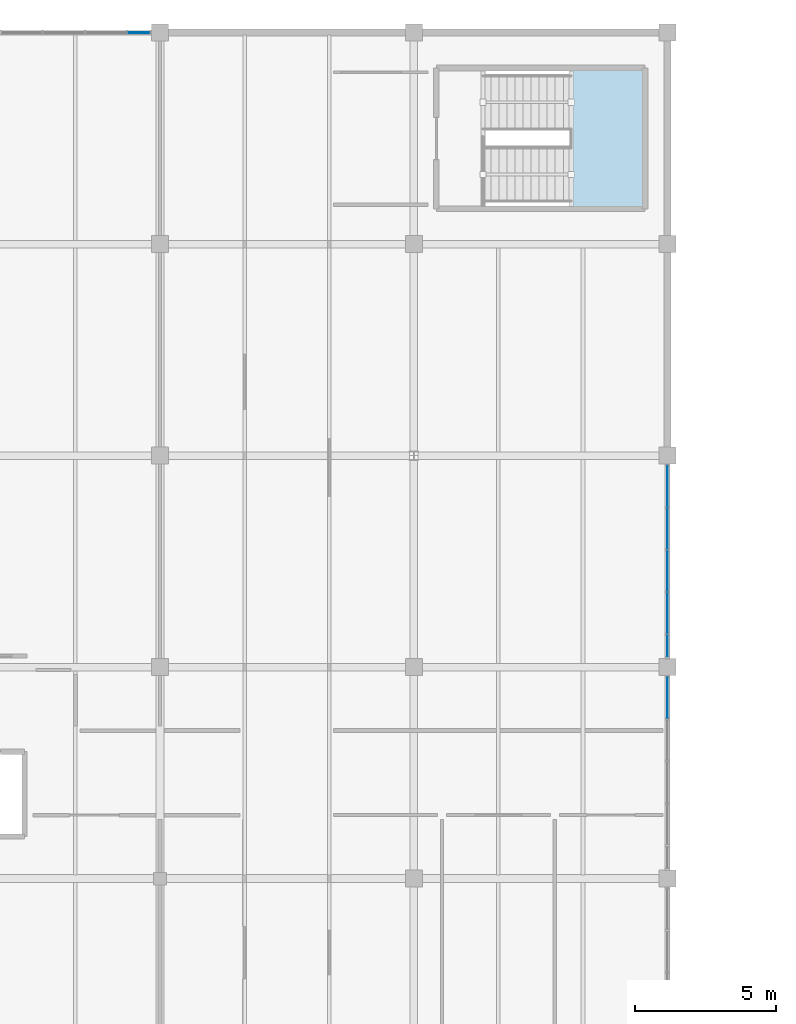
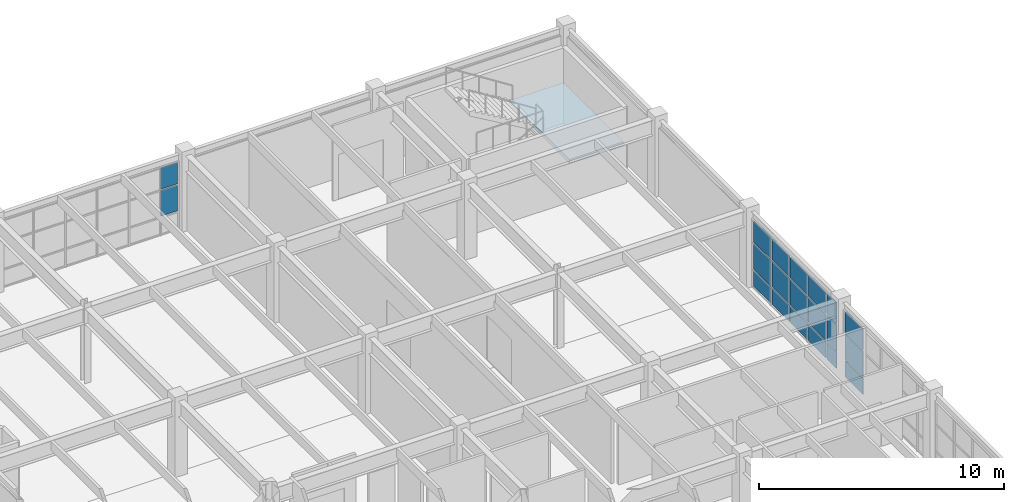
# One storey, part 55 of 76: 20 plates, 1 slab, 4 elements without a shape of their own.
"""IFC4 building model written with IfcOpenShell, lengths in metres."""

from ifc_helpers import new_model, si_unit, direction, frame, origin, origin_2d, place, context, subcontext, project, spatial, polyline, rectangle, outline, extrude, material, layer, layer_set, type_object, element, aggregate, save


model = new_model("IFC4")

# Units and contexts
model_context = context("Model", 3, precision=1e-05, world=origin(), true_north=direction((0.0, 1.0)))
body_context = subcontext(model_context, "Body", "Model", "MODEL_VIEW")
ifc_project = project(units=[si_unit("LENGTHUNIT", "METRE"), si_unit("AREAUNIT", "SQUARE_METRE"), si_unit("VOLUMEUNIT", "CUBIC_METRE"), si_unit("PLANEANGLEUNIT", "RADIAN"), si_unit("MASSUNIT", "GRAM", prefix="KILO")], contexts=[model_context])

# Site, building, storey
site_placement = place(None, origin())
site = spatial("IfcSite", under=ifc_project, at=site_placement, CompositionType="ELEMENT")
building_placement = place(site_placement, origin())
building = spatial("IfcBuilding", under=site, at=building_placement, Name="Marnridge Secondary College", CompositionType="ELEMENT")
storey_placement = place(building_placement, frame((0.0, 0.0, 4.5)))
storey = spatial("IfcBuildingStorey", under=building, at=storey_placement, Name="L01", CompositionType="ELEMENT", Elevation=4.5)

# Curtain wall, plates
ifc_material_1 = material(Name="Thermally broken aluminium and low-E glazing", Category="aluminium")
ifc_layer_1 = layer(ifc_material_1, 0.159912109375)
ifc_layer_set_1 = layer_set([ifc_layer_1], Name="CW-MOD-1500")
curtain_wall_type = type_object("IfcCurtainWallType", Name="CW-MOD-1500", PredefinedType="NOTDEFINED", material=ifc_layer_set_1)
curtain_wall_1_placement = place(storey_placement, origin())
curtain_wall_1 = element("IfcCurtainWall", 1, at=curtain_wall_1_placement, inside=storey, type_object=curtain_wall_type, Name="Unitised curtain wall CW-L01-047", PredefinedType="NOTDEFINED")
ifc_material_2 = material(Name="Double-glazed low-E argon unit", Category="glass")
ifc_layer_2 = layer(ifc_material_2, 0.028076171875)
ifc_layer_set_2 = layer_set([ifc_layer_2], Name="CWP-GLZ28")
plate_type = type_object("IfcPlateType", Name="CWP-GLZ28", PredefinedType="CURTAIN_PANEL", material=ifc_layer_set_2)
plate_1_placement = place(storey_placement, frame((17.25, 120.0, 0.929931640625), z_axis=(0.0, 0.0, 1.0), x_axis=(1.0, 0.0, 0.0)))
plate_1 = element("IfcPlate", 2, at=plate_1_placement, type_object=plate_type, Name="CW-L01-047 panel 6.2", PredefinedType="CURTAIN_PANEL", context=body_context, shape_type="SweptSolid", body=[
    extrude(rectangle(XDim=0.77197265625, YDim=0.028076171875, at=origin_2d()), origin(), (0.0, 0.0, 1.0), 1.2900390625),
])
plate_2_placement = place(storey_placement, frame((17.25, 120.0, 2.280029296875), z_axis=(0.0, 0.0, 1.0), x_axis=(1.0, 0.0, 0.0)))
plate_2 = element("IfcPlate", 3, at=plate_2_placement, type_object=plate_type, Name="CW-L01-047 panel 6.3", PredefinedType="CURTAIN_PANEL", context=body_context, shape_type="SweptSolid", body=[
    extrude(rectangle(XDim=0.77197265625, YDim=0.028076171875, at=origin_2d()), origin(), (0.0, 0.0, 1.0), 1.06005859375),
])
aggregate(curtain_wall_1, [plate_1, plate_2])

curtain_wall_2_placement = place(storey_placement, origin())
curtain_wall_2 = element("IfcCurtainWall", 4, at=curtain_wall_2_placement, inside=storey, type_object=curtain_wall_type, Name="Unitised curtain wall CW-L01-048", PredefinedType="NOTDEFINED")
plate_3_placement = place(storey_placement, frame((36.0, 103.916015625, 0.06005859375), z_axis=(0.0, 0.0, 1.0), x_axis=(0.0, -1.0, 0.0)))
plate_3 = element("IfcPlate", 5, at=plate_3_placement, type_object=plate_type, Name="CW-L01-048 panel 1.1", PredefinedType="CURTAIN_PANEL", context=body_context, shape_type="SweptSolid", body=[
    extrude(rectangle(XDim=1.43994140625, YDim=0.028076171875, at=origin_2d()), origin(), (0.0, 0.0, 1.0), 0.81005859375),
])
plate_4_placement = place(storey_placement, frame((36.0, 103.916015625, 0.929931640625), z_axis=(0.0, 0.0, 1.0), x_axis=(0.0, -1.0, 0.0)))
plate_4 = element("IfcPlate", 6, at=plate_4_placement, type_object=plate_type, Name="CW-L01-048 panel 1.2", PredefinedType="CURTAIN_PANEL", context=body_context, shape_type="SweptSolid", body=[
    extrude(rectangle(XDim=1.43994140625, YDim=0.028076171875, at=origin_2d()), origin(), (0.0, 0.0, 1.0), 1.2900390625),
])
plate_5_placement = place(storey_placement, frame((36.0, 103.916015625, 2.280029296875), z_axis=(0.0, 0.0, 1.0), x_axis=(0.0, -1.0, 0.0)))
plate_5 = element("IfcPlate", 7, at=plate_5_placement, type_object=plate_type, Name="CW-L01-048 panel 1.3", PredefinedType="CURTAIN_PANEL", context=body_context, shape_type="SweptSolid", body=[
    extrude(rectangle(XDim=1.43994140625, YDim=0.028076171875, at=origin_2d()), origin(), (0.0, 0.0, 1.0), 1.06005859375),
])
plate_6_placement = place(storey_placement, frame((36.0, 102.416015625, 0.06005859375), z_axis=(0.0, 0.0, 1.0), x_axis=(0.0, -1.0, 0.0)))
plate_6 = element("IfcPlate", 8, at=plate_6_placement, type_object=plate_type, Name="CW-L01-048 panel 2.1", PredefinedType="CURTAIN_PANEL", context=body_context, shape_type="SweptSolid", body=[
    extrude(rectangle(XDim=1.43994140625, YDim=0.028076171875, at=origin_2d()), origin(), (0.0, 0.0, 1.0), 0.81005859375),
])
plate_7_placement = place(storey_placement, frame((36.0, 102.416015625, 0.929931640625), z_axis=(0.0, 0.0, 1.0), x_axis=(0.0, -1.0, 0.0)))
plate_7 = element("IfcPlate", 9, at=plate_7_placement, type_object=plate_type, Name="CW-L01-048 panel 2.2", PredefinedType="CURTAIN_PANEL", context=body_context, shape_type="SweptSolid", body=[
    extrude(rectangle(XDim=1.43994140625, YDim=0.028076171875, at=origin_2d()), origin(), (0.0, 0.0, 1.0), 1.2900390625),
])
plate_8_placement = place(storey_placement, frame((36.0, 102.416015625, 2.280029296875), z_axis=(0.0, 0.0, 1.0), x_axis=(0.0, -1.0, 0.0)))
plate_8 = element("IfcPlate", 10, at=plate_8_placement, type_object=plate_type, Name="CW-L01-048 panel 2.3", PredefinedType="CURTAIN_PANEL", context=body_context, shape_type="SweptSolid", body=[
    extrude(rectangle(XDim=1.43994140625, YDim=0.028076171875, at=origin_2d()), origin(), (0.0, 0.0, 1.0), 1.06005859375),
])
plate_9_placement = place(storey_placement, frame((36.0, 100.916015625, 0.06005859375), z_axis=(0.0, 0.0, 1.0), x_axis=(0.0, -1.0, 0.0)))
plate_9 = element("IfcPlate", 11, at=plate_9_placement, type_object=plate_type, Name="CW-L01-048 panel 3.1", PredefinedType="CURTAIN_PANEL", context=body_context, shape_type="SweptSolid", body=[
    extrude(rectangle(XDim=1.43994140625, YDim=0.028076171875, at=origin_2d()), origin(), (0.0, 0.0, 1.0), 0.81005859375),
])
plate_10_placement = place(storey_placement, frame((36.0, 100.916015625, 0.929931640625), z_axis=(0.0, 0.0, 1.0), x_axis=(0.0, -1.0, 0.0)))
plate_10 = element("IfcPlate", 12, at=plate_10_placement, type_object=plate_type, Name="CW-L01-048 panel 3.2", PredefinedType="CURTAIN_PANEL", context=body_context, shape_type="SweptSolid", body=[
    extrude(rectangle(XDim=1.43994140625, YDim=0.028076171875, at=origin_2d()), origin(), (0.0, 0.0, 1.0), 1.2900390625),
])
plate_11_placement = place(storey_placement, frame((36.0, 100.916015625, 2.280029296875), z_axis=(0.0, 0.0, 1.0), x_axis=(0.0, -1.0, 0.0)))
plate_11 = element("IfcPlate", 13, at=plate_11_placement, type_object=plate_type, Name="CW-L01-048 panel 3.3", PredefinedType="CURTAIN_PANEL", context=body_context, shape_type="SweptSolid", body=[
    extrude(rectangle(XDim=1.43994140625, YDim=0.028076171875, at=origin_2d()), origin(), (0.0, 0.0, 1.0), 1.06005859375),
])
plate_12_placement = place(storey_placement, frame((36.0, 99.416015625, 0.06005859375), z_axis=(0.0, 0.0, 1.0), x_axis=(0.0, -1.0, 0.0)))
plate_12 = element("IfcPlate", 14, at=plate_12_placement, type_object=plate_type, Name="CW-L01-048 panel 4.1", PredefinedType="CURTAIN_PANEL", context=body_context, shape_type="SweptSolid", body=[
    extrude(rectangle(XDim=1.43994140625, YDim=0.028076171875, at=origin_2d()), origin(), (0.0, 0.0, 1.0), 0.81005859375),
])
plate_13_placement = place(storey_placement, frame((36.0, 99.416015625, 0.929931640625), z_axis=(0.0, 0.0, 1.0), x_axis=(0.0, -1.0, 0.0)))
plate_13 = element("IfcPlate", 15, at=plate_13_placement, type_object=plate_type, Name="CW-L01-048 panel 4.2", PredefinedType="CURTAIN_PANEL", context=body_context, shape_type="SweptSolid", body=[
    extrude(rectangle(XDim=1.43994140625, YDim=0.028076171875, at=origin_2d()), origin(), (0.0, 0.0, 1.0), 1.2900390625),
])
plate_14_placement = place(storey_placement, frame((36.0, 99.416015625, 2.280029296875), z_axis=(0.0, 0.0, 1.0), x_axis=(0.0, -1.0, 0.0)))
plate_14 = element("IfcPlate", 16, at=plate_14_placement, type_object=plate_type, Name="CW-L01-048 panel 4.3", PredefinedType="CURTAIN_PANEL", context=body_context, shape_type="SweptSolid", body=[
    extrude(rectangle(XDim=1.43994140625, YDim=0.028076171875, at=origin_2d()), origin(), (0.0, 0.0, 1.0), 1.06005859375),
])
plate_15_placement = place(storey_placement, frame((36.0, 98.25, 0.06005859375), z_axis=(0.0, 0.0, 1.0), x_axis=(0.0, -1.0, 0.0)))
plate_15 = element("IfcPlate", 17, at=plate_15_placement, type_object=plate_type, Name="CW-L01-048 panel 5.1", PredefinedType="CURTAIN_PANEL", context=body_context, shape_type="SweptSolid", body=[
    extrude(rectangle(XDim=0.77197265625, YDim=0.028076171875, at=origin_2d()), origin(), (0.0, 0.0, 1.0), 0.81005859375),
])
plate_16_placement = place(storey_placement, frame((36.0, 98.25, 0.929931640625), z_axis=(0.0, 0.0, 1.0), x_axis=(0.0, -1.0, 0.0)))
plate_16 = element("IfcPlate", 18, at=plate_16_placement, type_object=plate_type, Name="CW-L01-048 panel 5.2", PredefinedType="CURTAIN_PANEL", context=body_context, shape_type="SweptSolid", body=[
    extrude(rectangle(XDim=0.77197265625, YDim=0.028076171875, at=origin_2d()), origin(), (0.0, 0.0, 1.0), 1.2900390625),
])
plate_17_placement = place(storey_placement, frame((36.0, 98.25, 2.280029296875), z_axis=(0.0, 0.0, 1.0), x_axis=(0.0, -1.0, 0.0)))
plate_17 = element("IfcPlate", 19, at=plate_17_placement, type_object=plate_type, Name="CW-L01-048 panel 5.3", PredefinedType="CURTAIN_PANEL", context=body_context, shape_type="SweptSolid", body=[
    extrude(rectangle(XDim=0.77197265625, YDim=0.028076171875, at=origin_2d()), origin(), (0.0, 0.0, 1.0), 1.06005859375),
])
aggregate(curtain_wall_2, [plate_3, plate_4, plate_5, plate_6, plate_7, plate_8, plate_9, plate_10, plate_11, plate_12, plate_13, plate_14, plate_15, plate_16, plate_17])

curtain_wall_3_placement = place(storey_placement, origin())
curtain_wall_3 = element("IfcCurtainWall", 20, at=curtain_wall_3_placement, inside=storey, type_object=curtain_wall_type, Name="Unitised curtain wall CW-L01-049", PredefinedType="NOTDEFINED")
plate_18_placement = place(storey_placement, frame((36.0, 96.416015625, 0.06005859375), z_axis=(0.0, 0.0, 1.0), x_axis=(0.0, -1.0, 0.0)))
plate_18 = element("IfcPlate", 21, at=plate_18_placement, type_object=plate_type, Name="CW-L01-049 panel 1.1", PredefinedType="CURTAIN_PANEL", context=body_context, shape_type="SweptSolid", body=[
    extrude(rectangle(XDim=1.43994140625, YDim=0.028076171875, at=origin_2d()), origin(), (0.0, 0.0, 1.0), 0.81005859375),
])
plate_19_placement = place(storey_placement, frame((36.0, 96.416015625, 0.929931640625), z_axis=(0.0, 0.0, 1.0), x_axis=(0.0, -1.0, 0.0)))
plate_19 = element("IfcPlate", 22, at=plate_19_placement, type_object=plate_type, Name="CW-L01-049 panel 1.2", PredefinedType="CURTAIN_PANEL", context=body_context, shape_type="SweptSolid", body=[
    extrude(rectangle(XDim=1.43994140625, YDim=0.028076171875, at=origin_2d()), origin(), (0.0, 0.0, 1.0), 1.2900390625),
])
plate_20_placement = place(storey_placement, frame((36.0, 96.416015625, 2.280029296875), z_axis=(0.0, 0.0, 1.0), x_axis=(0.0, -1.0, 0.0)))
plate_20 = element("IfcPlate", 23, at=plate_20_placement, type_object=plate_type, Name="CW-L01-049 panel 1.3", PredefinedType="CURTAIN_PANEL", context=body_context, shape_type="SweptSolid", body=[
    extrude(rectangle(XDim=1.43994140625, YDim=0.028076171875, at=origin_2d()), origin(), (0.0, 0.0, 1.0), 1.06005859375),
])
aggregate(curtain_wall_3, [plate_18, plate_19, plate_20])

# Stair, slab
ifc_material_3 = material(Name="Concrete C40/50 (AS 3600 N40, 40 MPa)", Category="concrete")
stair_type = type_object("IfcStairType", Name="STC1", PredefinedType="HALF_TURN_STAIR", material=ifc_material_3)
stair_placement = place(storey_placement, origin())
stair = element("IfcStair", 24, at=stair_placement, inside=storey, type_object=stair_type, Name="Fire-isolated stair ST-06-L01", PredefinedType="HALF_TURN_STAIR")
ifc_material_4 = material(Name="Concrete C40/50 (AS 3600 N40, 40 MPa)", Category="concrete")
ifc_layer_3 = layer(ifc_material_4, 0.199951171875)
ifc_layer_set_3 = layer_set([ifc_layer_3], Name="SL-LAND-200")
slab_type = type_object("IfcSlabType", Name="SL-LAND-200", PredefinedType="LANDING", material=ifc_layer_set_3)
slab_placement = place(storey_placement, frame((0.0, 0.0, 1.800048828125)))
slab = element("IfcSlab", 25, at=slab_placement, type_object=slab_type, Name="ST-06-L01 landing 1", PredefinedType="LANDING", context=body_context, shape_type="SweptSolid", body=[
    extrude(outline(polyline([(32.5849609375, 113.81005859375), (35.139892578125, 113.81005859375), (35.139892578125, 118.68994140625), (32.5849609375, 118.68994140625), (32.5849609375, 113.81005859375)])), origin(), (0.0, 0.0, 1.0), 0.199951171875),
])
aggregate(stair, [slab])

save(model, "model.ifc")
